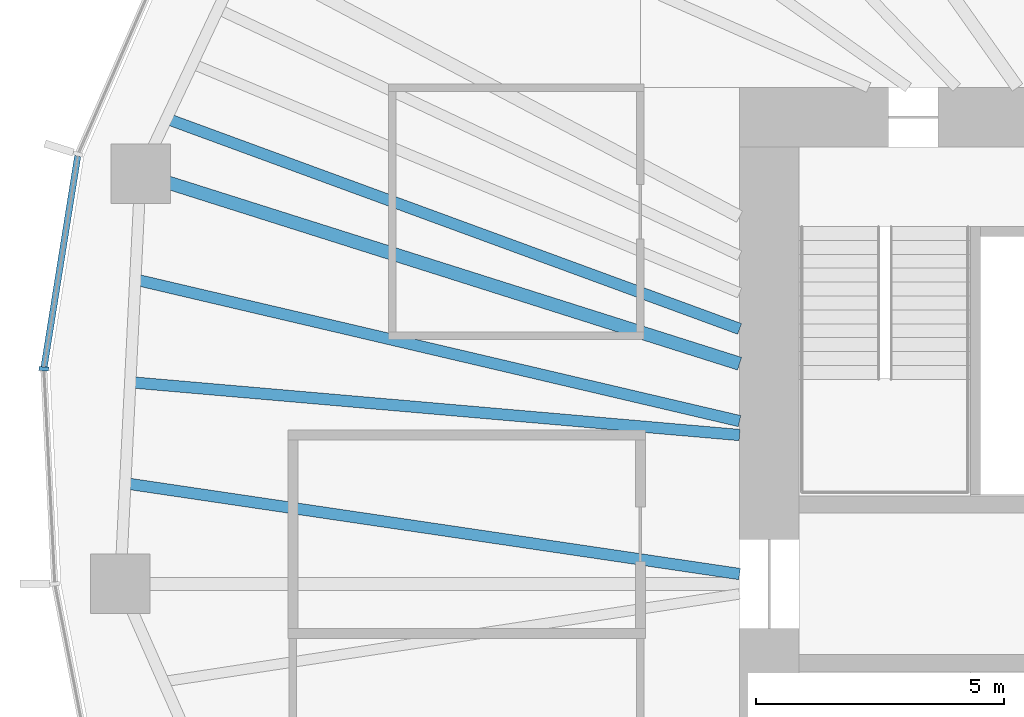
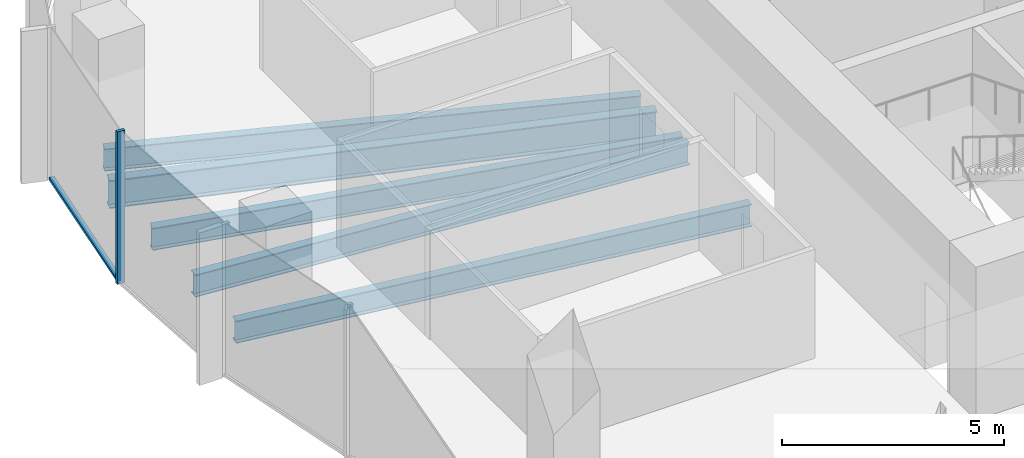
# One storey, part 3 of 12: 5 beams, 2 members, 1 element without a shape of its own.
"""IFC4 building model written with IfcOpenShell, lengths in metres."""

from ifc_helpers import new_model, si_unit, direction, frame, origin, origin_2d, place, context, subcontext, project, spatial, rectangle, i_section, extrude, material, material_profile, profile_set, type_object, element, aggregate, save


model = new_model("IFC4")

# Units and contexts
model_context = context("Model", 3, precision=1e-05, world=origin(), true_north=direction((0.0, 1.0)))
body_context = subcontext(model_context, "Body", "Model", "MODEL_VIEW")
ifc_project = project(units=[si_unit("LENGTHUNIT", "METRE"), si_unit("AREAUNIT", "SQUARE_METRE"), si_unit("VOLUMEUNIT", "CUBIC_METRE"), si_unit("PLANEANGLEUNIT", "RADIAN"), si_unit("MASSUNIT", "GRAM", prefix="KILO")], contexts=[model_context])

# Site, building, storey
site_placement = place(None, origin())
site = spatial("IfcSite", under=ifc_project, at=site_placement, CompositionType="ELEMENT")
building_placement = place(site_placement, origin())
building = spatial("IfcBuilding", under=site, at=building_placement, Name="Ghaith Harvest Tower", CompositionType="ELEMENT")
storey_placement = place(building_placement, frame((0.0, 0.0, 232.60009765625)))
storey = spatial("IfcBuildingStorey", under=building, at=storey_placement, Name="L51", CompositionType="ELEMENT", Elevation=232.60009765625)

# Curtain wall, members
ifc_material_1 = material(Name="Black anodised aluminium and fritted glass", Category="aluminium")
curtain_wall_type = type_object("IfcCurtainWallType", Name="CW-H CURTAIN WALL", PredefinedType="NOTDEFINED", material=ifc_material_1)
curtain_wall_placement = place(storey_placement, origin())
curtain_wall = element("IfcCurtainWall", 1, at=curtain_wall_placement, inside=storey, type_object=curtain_wall_type, Name="Curtain wall CW-H bay 10 L51", PredefinedType="NOTDEFINED")
ifc_material_2 = material(Name="Aluminium, black anodised", Category="aluminium")
ifc_material_profile_1 = material_profile(ifc_material_2, rectangle(XDim=0.080078125, YDim=0.199951171875, at=origin_2d()), Name="CW-H MULLION 80x200")
ifc_profile_set_1 = profile_set([ifc_material_profile_1], Name="Aluminium, black anodised")
member_type_1 = type_object("IfcMemberType", Name="CW-H MULLION 80x200", PredefinedType="MULLION", material=ifc_profile_set_1)
member_1_placement = place(storey_placement, frame((-28.015869140625, 4.333251953125, 0.0), z_axis=(0.0, 0.0, 1.0), x_axis=(-0.054116047044, -0.998534653105, 0.0)))
member_1 = element("IfcMember", 2, at=member_1_placement, type_object=member_type_1, Name="CW-H mullion 2 bay 10 L51", PredefinedType="MULLION", context=body_context, shape_type="SweptSolid", body=[
    extrude(rectangle(XDim=0.080078125, YDim=0.199951171875, at=origin_2d()), origin(), (0.0, 0.0, 1.0), 4.199951171875),
])
ifc_material_3 = material(Name="Aluminium, black anodised", Category="aluminium")
ifc_material_profile_2 = material_profile(ifc_material_3, rectangle(XDim=0.1298828125, YDim=0.080078125, at=origin_2d()), Name="CW-H TRANSOM 130x80")
ifc_profile_set_2 = profile_set([ifc_material_profile_2], Name="Aluminium, black anodised")
member_type_2 = type_object("IfcMemberType", Name="CW-H TRANSOM 130x80", PredefinedType="USERDEFINED", material=ifc_profile_set_2)
member_2_placement = place(storey_placement, frame((-27.33203125, 8.62060546875, 0.039794921875), z_axis=(-0.157492444441, -0.98752019217, 0.0), x_axis=(0.98752019217, -0.157492444441, 0.0)))
member_2 = element("IfcMember", 3, at=member_2_placement, type_object=member_type_2, Name="CW-H transom 1 bay 10 L51", ObjectType="TRANSOM", PredefinedType="USERDEFINED", context=body_context, shape_type="SweptSolid", body=[
    extrude(rectangle(XDim=0.1298828125, YDim=0.080078125, at=origin_2d()), origin(), (0.0, 0.0, 1.0), 4.3017578125),
])
aggregate(curtain_wall, [member_2, member_1])

# Beams
ifc_material_4 = material(Name="Steel ASTM A992 Grade 50", Category="steel")
ifc_material_profile_3 = material_profile(ifc_material_4, i_section(OverallWidth=0.26806640625, OverallDepth=0.77001953125, WebThickness=0.015625, FlangeThickness=0.025390625, at=origin_2d()), Name="W760X196")
ifc_profile_set_3 = profile_set([ifc_material_profile_3], Name="Steel ASTM A992 Grade 50")
beam_type_1 = type_object("IfcBeamType", Name="G760-196 W760X196", PredefinedType="BEAM", material=ifc_profile_set_3)
beam_1_placement = place(storey_placement, frame((-14.0, 4.43701171875, -0.55517578125), z_axis=(-0.953278738841, 0.302092115212, 0.0), x_axis=(-0.302092115212, -0.953278738841, 0.0)))
element("IfcBeam", 4, at=beam_1_placement, inside=storey, type_object=beam_type_1, Name="Radial girder G10 L51", PredefinedType="BEAM", context=body_context, shape_type="SweptSolid", body=[
    extrude(i_section(OverallWidth=0.26806640625, OverallDepth=0.77001953125, WebThickness=0.015625, FlangeThickness=0.025390625, at=origin_2d()), origin(), (0.0, 0.0, 1.0), 12.658203125),
])
ifc_material_5 = material(Name="Steel ASTM A992 Grade 50", Category="steel")
ifc_material_profile_4 = material_profile(ifc_material_5, i_section(OverallWidth=0.22900390625, OverallDepth=0.612060546875, WebThickness=0.011962890625, FlangeThickness=0.01953125, at=origin_2d()), Name="W610X125")
ifc_profile_set_4 = profile_set([ifc_material_profile_4], Name="Steel ASTM A992 Grade 50")
beam_type_2 = type_object("IfcBeamType", Name="J610-125 W610X125", PredefinedType="JOIST", material=ifc_profile_set_4)
beam_2_placement = place(storey_placement, frame((-14.0, 5.137939453125, -0.47607421875), z_axis=(-0.938775301049, 0.344530019216, 0.0), x_axis=(-0.344530019216, -0.938775301049, 0.0)))
element("IfcBeam", 5, at=beam_2_placement, inside=storey, type_object=beam_type_2, Name="Joist J09.3 L51", PredefinedType="JOIST", context=body_context, shape_type="SweptSolid", body=[
    extrude(i_section(OverallWidth=0.22900390625, OverallDepth=0.612060546875, WebThickness=0.011962890625, FlangeThickness=0.01953125, at=origin_2d()), origin(), (0.0, 0.0, 1.0), 12.295166015625),
])
beam_3_placement = place(storey_placement, frame((-14.0, 3.280517578125, -0.47607421875), z_axis=(-0.973621665777, 0.228168472691, 0.0), x_axis=(-0.228168472691, -0.973621665777, 0.0)))
element("IfcBeam", 6, at=beam_3_placement, inside=storey, type_object=beam_type_2, Name="Joist J10.1 L51", PredefinedType="JOIST", context=body_context, shape_type="SweptSolid", body=[
    extrude(i_section(OverallWidth=0.22900390625, OverallDepth=0.612060546875, WebThickness=0.011962890625, FlangeThickness=0.01953125, at=origin_2d()), origin(), (0.0, 0.0, 1.0), 12.501953125),
])
beam_4_placement = place(storey_placement, frame((-14.0, 3.0, -0.47607421875), z_axis=(-0.996265900996, 0.086338024716, 0.0), x_axis=(-0.086338024716, -0.996265900996, 0.0)))
element("IfcBeam", 7, at=beam_4_placement, inside=storey, type_object=beam_type_2, Name="Joist J10.2 L51", PredefinedType="JOIST", context=body_context, shape_type="SweptSolid", body=[
    extrude(i_section(OverallWidth=0.22900390625, OverallDepth=0.612060546875, WebThickness=0.011962890625, FlangeThickness=0.01953125, at=origin_2d()), origin(), (0.0, 0.0, 1.0), 12.3203125),
])
beam_5_placement = place(storey_placement, frame((-14.0, 0.199951171875, -0.47607421875), z_axis=(-0.989269378665, 0.146103033631, 0.0), x_axis=(-0.146103033631, -0.989269378665, 0.0)))
element("IfcBeam", 8, at=beam_5_placement, inside=storey, type_object=beam_type_2, Name="Joist J10.3 L51", PredefinedType="JOIST", context=body_context, shape_type="SweptSolid", body=[
    extrude(i_section(OverallWidth=0.22900390625, OverallDepth=0.612060546875, WebThickness=0.011962890625, FlangeThickness=0.01953125, at=origin_2d()), origin(), (0.0, 0.0, 1.0), 12.50927734375),
])

save(model, "model.ifc")
